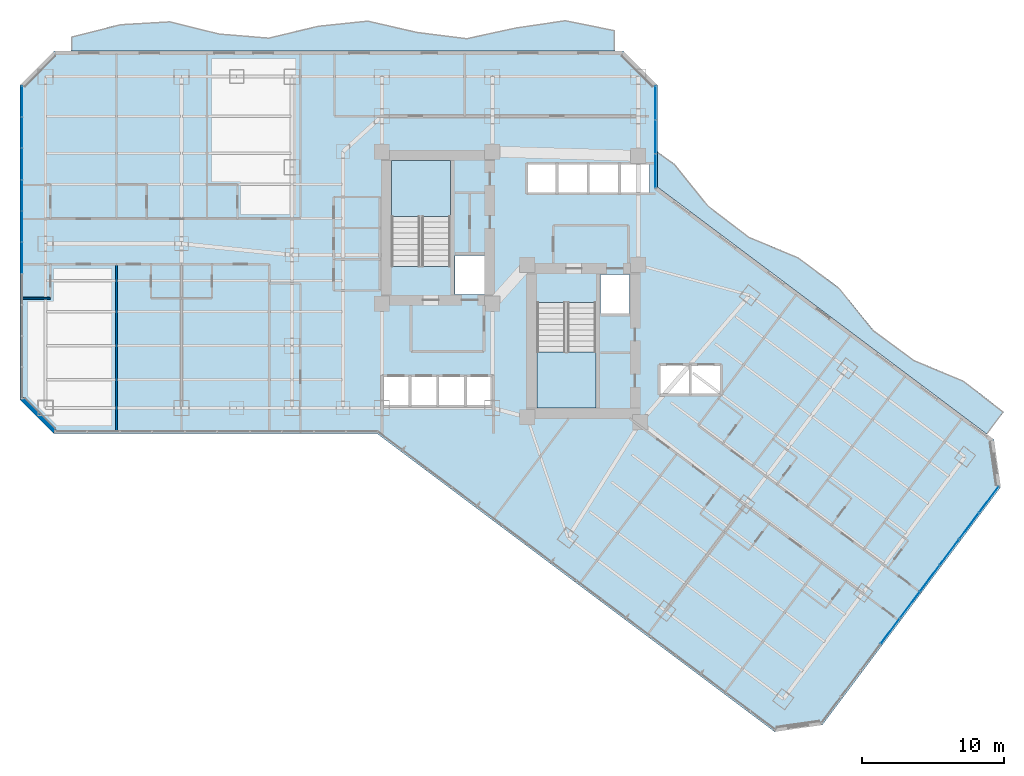
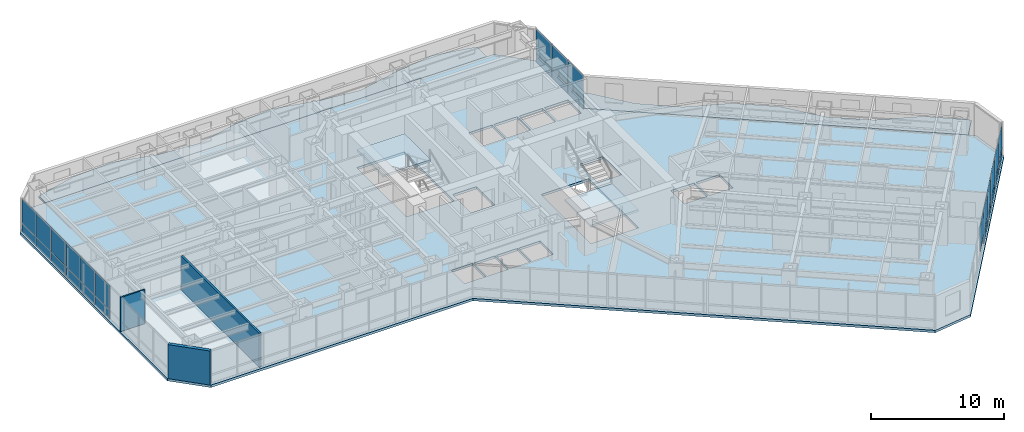
# One storey, part 27 of 38: 29 plates, 5 slabs, 3 walls, 5 elements without a shape of their own.
"""IFC4 building model written with IfcOpenShell, lengths in metres."""

from ifc_helpers import new_model, si_unit, direction, frame, frame_2d, origin, origin_2d, place, context, subcontext, project, spatial, polyline, rectangle, outline, extrude, material, layer, layer_set, type_object, element, aggregate, save


model = new_model("IFC4")

# Units and contexts
model_context = context("Model", 3, precision=1e-05, world=origin(), true_north=direction((0.0, 1.0)))
body_context = subcontext(model_context, "Body", "Model", "MODEL_VIEW")
ifc_project = project(units=[si_unit("LENGTHUNIT", "METRE"), si_unit("AREAUNIT", "SQUARE_METRE"), si_unit("VOLUMEUNIT", "CUBIC_METRE"), si_unit("PLANEANGLEUNIT", "RADIAN"), si_unit("MASSUNIT", "GRAM", prefix="KILO")], contexts=[model_context])

# Site, building, storey
site_placement = place(None, origin())
site = spatial("IfcSite", under=ifc_project, at=site_placement, CompositionType="ELEMENT")
building_placement = place(site_placement, origin())
building = spatial("IfcBuilding", under=site, at=building_placement, Name="Hatsunagi Terrace Concourse", CompositionType="ELEMENT")
storey_placement = place(building_placement, frame((0.0, 0.0, 63.39990234375)))
storey = spatial("IfcBuildingStorey", under=building, at=storey_placement, Name="L16", CompositionType="ELEMENT", Elevation=63.39990234375)

# Curtain wall, plates
ifc_material_1 = material(Name="Anodised Aluminium Alloy 6063-T5", Category="aluminium")
ifc_layer_1 = layer(ifc_material_1, 0.199951171875)
ifc_layer_set_1 = layer_set([ifc_layer_1], Name="HotelFacade_CW02")
curtain_wall_type = type_object("IfcCurtainWallType", Name="HotelFacade_CW02", PredefinedType="NOTDEFINED", material=ifc_layer_set_1)
curtain_wall_1_placement = place(storey_placement, origin())
curtain_wall_1 = element("IfcCurtainWall", 1, at=curtain_wall_1_placement, inside=storey, type_object=curtain_wall_type, Name="Unitised Curtain Wall CW-02 CW-L16-03", PredefinedType="NOTDEFINED")
ifc_material_2 = material(Name="Warm Terracotta Ceramic Spandrel Panel", Category="masonry")
ifc_layer_2 = layer(ifc_material_2, 0.031982421875)
ifc_layer_set_2 = layer_set([ifc_layer_2], Name="CurtainWallSpandrelPanel_32")
plate_type_1 = type_object("IfcPlateType", Name="CurtainWallSpandrelPanel_32", PredefinedType="SHEET", material=ifc_layer_set_2)
plate_1_placement = place(storey_placement, frame((68.39697265625, 18.72998046875, 0.030029296875), z_axis=(0.0, 0.0, 1.0), x_axis=(-0.599969314634, -0.800023013105, 0.0)))
plate_1 = element("IfcPlate", 2, at=plate_1_placement, type_object=plate_type_1, Name="Terracotta Spandrel Panel SPN-01", PredefinedType="SHEET", context=body_context, shape_type="SweptSolid", body=[
    extrude(rectangle(XDim=2.264892578125, YDim=0.031982421875, at=origin_2d()), origin(), (0.0, 0.0, 1.0), 0.7900390625),
])
plate_2_placement = place(storey_placement, frame((67.0048828125, 16.873046875, 0.030029296875), z_axis=(0.0, 0.0, 1.0), x_axis=(-0.599969314634, -0.800023013105, 0.0)))
plate_2 = element("IfcPlate", 3, at=plate_2_placement, type_object=plate_type_1, Name="Terracotta Spandrel Panel SPN-01", PredefinedType="SHEET", context=body_context, shape_type="SweptSolid", body=[
    extrude(rectangle(XDim=2.264892578125, YDim=0.031982421875, at=origin_2d()), origin(), (0.0, 0.0, 1.0), 0.7900390625),
])
plate_3_placement = place(storey_placement, frame((65.612060546875, 15.01708984375, 0.030029296875), z_axis=(0.0, 0.0, 1.0), x_axis=(-0.599969314634, -0.800023013105, 0.0)))
plate_3 = element("IfcPlate", 4, at=plate_3_placement, type_object=plate_type_1, Name="Terracotta Spandrel Panel SPN-01", PredefinedType="SHEET", context=body_context, shape_type="SweptSolid", body=[
    extrude(rectangle(XDim=2.264892578125, YDim=0.031982421875, at=origin_2d()), origin(), (0.0, 0.0, 1.0), 0.7900390625),
])
plate_4_placement = place(storey_placement, frame((64.219970703125, 13.159912109375, 0.030029296875), z_axis=(0.0, 0.0, 1.0), x_axis=(-0.599969314634, -0.800023013105, 0.0)))
plate_4 = element("IfcPlate", 5, at=plate_4_placement, type_object=plate_type_1, Name="Terracotta Spandrel Panel SPN-01", PredefinedType="SHEET", context=body_context, shape_type="SweptSolid", body=[
    extrude(rectangle(XDim=2.264892578125, YDim=0.031982421875, at=origin_2d()), origin(), (0.0, 0.0, 1.0), 0.7900390625),
])
plate_5_placement = place(storey_placement, frame((62.827880859375, 11.303955078125, 0.030029296875), z_axis=(0.0, 0.0, 1.0), x_axis=(-0.599969314634, -0.800023013105, 0.0)))
plate_5 = element("IfcPlate", 6, at=plate_5_placement, type_object=plate_type_1, Name="Terracotta Spandrel Panel SPN-01", PredefinedType="SHEET", context=body_context, shape_type="SweptSolid", body=[
    extrude(rectangle(XDim=2.264892578125, YDim=0.031982421875, at=origin_2d()), origin(), (0.0, 0.0, 1.0), 0.7900390625),
])

curtain_wall_2_placement = place(storey_placement, origin())
curtain_wall_2 = element("IfcCurtainWall", 7, at=curtain_wall_2_placement, inside=storey, type_object=curtain_wall_type, Name="Unitised Curtain Wall CW-02 CW-L16-09", PredefinedType="NOTDEFINED")
plate_6_placement = place(storey_placement, frame((0.139892578125, 35.7958984375, 0.030029296875), z_axis=(0.0, 0.0, 1.0), x_axis=(0.0, 1.0, 0.0)))
plate_6 = element("IfcPlate", 8, at=plate_6_placement, type_object=plate_type_1, Name="Terracotta Spandrel Panel SPN-01", PredefinedType="SHEET", context=body_context, shape_type="SweptSolid", body=[
    extrude(rectangle(XDim=2.153076171875, YDim=0.031982421875, at=origin_2d()), origin(), (0.0, 0.0, 1.0), 0.7900390625),
])
plate_7_placement = place(storey_placement, frame((0.139892578125, 38.00390625, 0.030029296875), z_axis=(0.0, 0.0, 1.0), x_axis=(0.0, 1.0, 0.0)))
plate_7 = element("IfcPlate", 9, at=plate_7_placement, type_object=plate_type_1, Name="Terracotta Spandrel Panel SPN-01", PredefinedType="SHEET", context=body_context, shape_type="SweptSolid", body=[
    extrude(rectangle(XDim=2.153076171875, YDim=0.031982421875, at=origin_2d()), origin(), (0.0, 0.0, 1.0), 0.7900390625),
])
plate_8_placement = place(storey_placement, frame((0.139892578125, 40.212890625, 0.030029296875), z_axis=(0.0, 0.0, 1.0), x_axis=(0.0, 1.0, 0.0)))
plate_8 = element("IfcPlate", 10, at=plate_8_placement, type_object=plate_type_1, Name="Terracotta Spandrel Panel SPN-01", PredefinedType="SHEET", context=body_context, shape_type="SweptSolid", body=[
    extrude(rectangle(XDim=2.153076171875, YDim=0.031982421875, at=origin_2d()), origin(), (0.0, 0.0, 1.0), 0.7900390625),
])
plate_9_placement = place(storey_placement, frame((0.139892578125, 42.4208984375, 0.030029296875), z_axis=(0.0, 0.0, 1.0), x_axis=(0.0, 1.0, 0.0)))
plate_9 = element("IfcPlate", 11, at=plate_9_placement, type_object=plate_type_1, Name="Terracotta Spandrel Panel SPN-01", PredefinedType="SHEET", context=body_context, shape_type="SweptSolid", body=[
    extrude(rectangle(XDim=2.153076171875, YDim=0.031982421875, at=origin_2d()), origin(), (0.0, 0.0, 1.0), 0.7900390625),
])
plate_10_placement = place(storey_placement, frame((0.139892578125, 44.62890625, 0.030029296875), z_axis=(0.0, 0.0, 1.0), x_axis=(0.0, 1.0, 0.0)))
plate_10 = element("IfcPlate", 12, at=plate_10_placement, type_object=plate_type_1, Name="Terracotta Spandrel Panel SPN-01", PredefinedType="SHEET", context=body_context, shape_type="SweptSolid", body=[
    extrude(rectangle(XDim=2.153076171875, YDim=0.031982421875, at=origin_2d()), origin(), (0.0, 0.0, 1.0), 0.7900390625),
])
plate_11_placement = place(storey_placement, frame((0.139892578125, 46.837890625, 0.030029296875), z_axis=(0.0, 0.0, 1.0), x_axis=(0.0, 1.0, 0.0)))
plate_11 = element("IfcPlate", 13, at=plate_11_placement, type_object=plate_type_1, Name="Terracotta Spandrel Panel SPN-01", PredefinedType="SHEET", context=body_context, shape_type="SweptSolid", body=[
    extrude(rectangle(XDim=2.153076171875, YDim=0.031982421875, at=origin_2d()), origin(), (0.0, 0.0, 1.0), 0.7900390625),
])

curtain_wall_3_placement = place(storey_placement, origin())
curtain_wall_3 = element("IfcCurtainWall", 14, at=curtain_wall_3_placement, inside=storey, type_object=curtain_wall_type, Name="Unitised Curtain Wall CW-02 CW-L16-13", PredefinedType="NOTDEFINED")
plate_12_placement = place(storey_placement, frame((44.860107421875, 46.739990234375, 0.030029296875), z_axis=(0.0, 0.0, 1.0), x_axis=(0.0, -1.0, 0.0)))
plate_12 = element("IfcPlate", 15, at=plate_12_placement, type_object=plate_type_1, Name="Terracotta Spandrel Panel SPN-01", PredefinedType="SHEET", context=body_context, shape_type="SweptSolid", body=[
    extrude(rectangle(XDim=2.34912109375, YDim=0.031982421875, at=origin_2d()), origin(), (0.0, 0.0, 1.0), 0.7900390625),
])
plate_13_placement = place(storey_placement, frame((44.860107421875, 44.3359375, 0.030029296875), z_axis=(0.0, 0.0, 1.0), x_axis=(0.0, -1.0, 0.0)))
plate_13 = element("IfcPlate", 16, at=plate_13_placement, type_object=plate_type_1, Name="Terracotta Spandrel Panel SPN-01", PredefinedType="SHEET", context=body_context, shape_type="SweptSolid", body=[
    extrude(rectangle(XDim=2.34912109375, YDim=0.031982421875, at=origin_2d()), origin(), (0.0, 0.0, 1.0), 0.7900390625),
])
plate_14_placement = place(storey_placement, frame((44.860107421875, 41.931884765625, 0.030029296875), z_axis=(0.0, 0.0, 1.0), x_axis=(0.0, -1.0, 0.0)))
plate_14 = element("IfcPlate", 17, at=plate_14_placement, type_object=plate_type_1, Name="Terracotta Spandrel Panel SPN-01", PredefinedType="SHEET", context=body_context, shape_type="SweptSolid", body=[
    extrude(rectangle(XDim=2.34912109375, YDim=0.031982421875, at=origin_2d()), origin(), (0.0, 0.0, 1.0), 0.7900390625),
])

# Plate
ifc_material_3 = material(Name="Low-E Double Insulating Glass 28mm", Category="glass")
ifc_layer_3 = layer(ifc_material_3, 0.028076171875)
ifc_layer_set_3 = layer_set([ifc_layer_3], Name="CurtainWallVisionGlass_28")
plate_type_2 = type_object("IfcPlateType", Name="CurtainWallVisionGlass_28", PredefinedType="CURTAIN_PANEL", material=ifc_layer_set_3)
plate_15_placement = place(storey_placement, frame((68.39697265625, 18.72998046875, 0.8798828125), z_axis=(0.0, 0.0, 1.0), x_axis=(-0.599969314634, -0.800023013105, 0.0)))
plate_15 = element("IfcPlate", 18, at=plate_15_placement, type_object=plate_type_2, Name="Low-E Vision Glass Panel GLZ-01", PredefinedType="CURTAIN_PANEL", context=body_context, shape_type="SweptSolid", body=[
    extrude(rectangle(XDim=2.264892578125, YDim=0.028076171875, at=origin_2d()), origin(), (0.0, 0.0, 1.0), 2.219970703125),
])

plate_16_placement = place(storey_placement, frame((67.0048828125, 16.873046875, 0.8798828125), z_axis=(0.0, 0.0, 1.0), x_axis=(-0.599969314634, -0.800023013105, 0.0)))
plate_16 = element("IfcPlate", 19, at=plate_16_placement, type_object=plate_type_2, Name="Low-E Vision Glass Panel GLZ-01", PredefinedType="CURTAIN_PANEL", context=body_context, shape_type="SweptSolid", body=[
    extrude(rectangle(XDim=2.264892578125, YDim=0.028076171875, at=origin_2d()), origin(), (0.0, 0.0, 1.0), 2.219970703125),
])

plate_17_placement = place(storey_placement, frame((65.612060546875, 15.01708984375, 0.8798828125), z_axis=(0.0, 0.0, 1.0), x_axis=(-0.599969314634, -0.800023013105, 0.0)))
plate_17 = element("IfcPlate", 20, at=plate_17_placement, type_object=plate_type_2, Name="Low-E Vision Glass Panel GLZ-01", PredefinedType="CURTAIN_PANEL", context=body_context, shape_type="SweptSolid", body=[
    extrude(rectangle(XDim=2.264892578125, YDim=0.028076171875, at=origin_2d()), origin(), (0.0, 0.0, 1.0), 2.219970703125),
])

plate_18_placement = place(storey_placement, frame((64.219970703125, 13.159912109375, 0.8798828125), z_axis=(0.0, 0.0, 1.0), x_axis=(-0.599969314634, -0.800023013105, 0.0)))
plate_18 = element("IfcPlate", 21, at=plate_18_placement, type_object=plate_type_2, Name="Low-E Vision Glass Panel GLZ-01", PredefinedType="CURTAIN_PANEL", context=body_context, shape_type="SweptSolid", body=[
    extrude(rectangle(XDim=2.264892578125, YDim=0.028076171875, at=origin_2d()), origin(), (0.0, 0.0, 1.0), 2.219970703125),
])

plate_19_placement = place(storey_placement, frame((62.827880859375, 11.303955078125, 0.8798828125), z_axis=(0.0, 0.0, 1.0), x_axis=(-0.599969314634, -0.800023013105, 0.0)))
plate_19 = element("IfcPlate", 22, at=plate_19_placement, type_object=plate_type_2, Name="Low-E Vision Glass Panel GLZ-01", PredefinedType="CURTAIN_PANEL", context=body_context, shape_type="SweptSolid", body=[
    extrude(rectangle(XDim=2.264892578125, YDim=0.028076171875, at=origin_2d()), origin(), (0.0, 0.0, 1.0), 2.219970703125),
])

plate_20_placement = place(storey_placement, frame((61.43603515625, 9.447998046875, 0.8798828125), z_axis=(0.0, 0.0, 1.0), x_axis=(-0.599969314634, -0.800023013105, 0.0)))
plate_20 = element("IfcPlate", 23, at=plate_20_placement, type_object=plate_type_2, Name="Low-E Vision Glass Panel GLZ-01", PredefinedType="CURTAIN_PANEL", context=body_context, shape_type="SweptSolid", body=[
    extrude(rectangle(XDim=2.264892578125, YDim=0.028076171875, at=origin_2d()), origin(), (0.0, 0.0, 1.0), 2.219970703125),
])

aggregate(curtain_wall_1, [plate_1, plate_15, plate_2, plate_16, plate_3, plate_17, plate_4, plate_18, plate_5, plate_19, plate_20])

plate_21_placement = place(storey_placement, frame((0.139892578125, 35.7958984375, 0.8798828125), z_axis=(0.0, 0.0, 1.0), x_axis=(0.0, 1.0, 0.0)))
plate_21 = element("IfcPlate", 24, at=plate_21_placement, type_object=plate_type_2, Name="Low-E Vision Glass Panel GLZ-01", PredefinedType="CURTAIN_PANEL", context=body_context, shape_type="SweptSolid", body=[
    extrude(rectangle(XDim=2.153076171875, YDim=0.028076171875, at=origin_2d()), origin(), (0.0, 0.0, 1.0), 2.219970703125),
])

plate_22_placement = place(storey_placement, frame((0.139892578125, 38.00390625, 0.8798828125), z_axis=(0.0, 0.0, 1.0), x_axis=(0.0, 1.0, 0.0)))
plate_22 = element("IfcPlate", 25, at=plate_22_placement, type_object=plate_type_2, Name="Low-E Vision Glass Panel GLZ-01", PredefinedType="CURTAIN_PANEL", context=body_context, shape_type="SweptSolid", body=[
    extrude(rectangle(XDim=2.153076171875, YDim=0.028076171875, at=origin_2d()), origin(), (0.0, 0.0, 1.0), 2.219970703125),
])

plate_23_placement = place(storey_placement, frame((0.139892578125, 40.212890625, 0.8798828125), z_axis=(0.0, 0.0, 1.0), x_axis=(0.0, 1.0, 0.0)))
plate_23 = element("IfcPlate", 26, at=plate_23_placement, type_object=plate_type_2, Name="Low-E Vision Glass Panel GLZ-01", PredefinedType="CURTAIN_PANEL", context=body_context, shape_type="SweptSolid", body=[
    extrude(rectangle(XDim=2.153076171875, YDim=0.028076171875, at=origin_2d()), origin(), (0.0, 0.0, 1.0), 2.219970703125),
])

plate_24_placement = place(storey_placement, frame((0.139892578125, 42.4208984375, 0.8798828125), z_axis=(0.0, 0.0, 1.0), x_axis=(0.0, 1.0, 0.0)))
plate_24 = element("IfcPlate", 27, at=plate_24_placement, type_object=plate_type_2, Name="Low-E Vision Glass Panel GLZ-01", PredefinedType="CURTAIN_PANEL", context=body_context, shape_type="SweptSolid", body=[
    extrude(rectangle(XDim=2.153076171875, YDim=0.028076171875, at=origin_2d()), origin(), (0.0, 0.0, 1.0), 2.219970703125),
])

plate_25_placement = place(storey_placement, frame((0.139892578125, 44.62890625, 0.8798828125), z_axis=(0.0, 0.0, 1.0), x_axis=(0.0, 1.0, 0.0)))
plate_25 = element("IfcPlate", 28, at=plate_25_placement, type_object=plate_type_2, Name="Low-E Vision Glass Panel GLZ-01", PredefinedType="CURTAIN_PANEL", context=body_context, shape_type="SweptSolid", body=[
    extrude(rectangle(XDim=2.153076171875, YDim=0.028076171875, at=origin_2d()), origin(), (0.0, 0.0, 1.0), 2.219970703125),
])

plate_26_placement = place(storey_placement, frame((0.139892578125, 46.837890625, 0.8798828125), z_axis=(0.0, 0.0, 1.0), x_axis=(0.0, 1.0, 0.0)))
plate_26 = element("IfcPlate", 29, at=plate_26_placement, type_object=plate_type_2, Name="Low-E Vision Glass Panel GLZ-01", PredefinedType="CURTAIN_PANEL", context=body_context, shape_type="SweptSolid", body=[
    extrude(rectangle(XDim=2.153076171875, YDim=0.028076171875, at=origin_2d()), origin(), (0.0, 0.0, 1.0), 2.219970703125),
])

aggregate(curtain_wall_2, [plate_6, plate_21, plate_7, plate_22, plate_8, plate_23, plate_9, plate_24, plate_10, plate_25, plate_11, plate_26])

plate_27_placement = place(storey_placement, frame((44.860107421875, 46.739990234375, 0.8798828125), z_axis=(0.0, 0.0, 1.0), x_axis=(0.0, -1.0, 0.0)))
plate_27 = element("IfcPlate", 30, at=plate_27_placement, type_object=plate_type_2, Name="Low-E Vision Glass Panel GLZ-01", PredefinedType="CURTAIN_PANEL", context=body_context, shape_type="SweptSolid", body=[
    extrude(rectangle(XDim=2.34912109375, YDim=0.028076171875, at=origin_2d()), origin(), (0.0, 0.0, 1.0), 2.219970703125),
])

plate_28_placement = place(storey_placement, frame((44.860107421875, 44.3359375, 0.8798828125), z_axis=(0.0, 0.0, 1.0), x_axis=(0.0, -1.0, 0.0)))
plate_28 = element("IfcPlate", 31, at=plate_28_placement, type_object=plate_type_2, Name="Low-E Vision Glass Panel GLZ-01", PredefinedType="CURTAIN_PANEL", context=body_context, shape_type="SweptSolid", body=[
    extrude(rectangle(XDim=2.34912109375, YDim=0.028076171875, at=origin_2d()), origin(), (0.0, 0.0, 1.0), 2.219970703125),
])

plate_29_placement = place(storey_placement, frame((44.860107421875, 41.931884765625, 0.8798828125), z_axis=(0.0, 0.0, 1.0), x_axis=(0.0, -1.0, 0.0)))
plate_29 = element("IfcPlate", 32, at=plate_29_placement, type_object=plate_type_2, Name="Low-E Vision Glass Panel GLZ-01", PredefinedType="CURTAIN_PANEL", context=body_context, shape_type="SweptSolid", body=[
    extrude(rectangle(XDim=2.34912109375, YDim=0.028076171875, at=origin_2d()), origin(), (0.0, 0.0, 1.0), 2.219970703125),
])

aggregate(curtain_wall_3, [plate_12, plate_27, plate_13, plate_28, plate_14, plate_29])

# Stair, slab
ifc_material_4 = material(Name="Concrete Fc42", Category="concrete")
stair_type = type_object("IfcStairType", Name="DoglegExitStair_Tower2000_20R_168", PredefinedType="HALF_TURN_STAIR", material=ifc_material_4)
stair_1_placement = place(storey_placement, origin())
stair_1 = element("IfcStair", 33, at=stair_1_placement, inside=storey, type_object=stair_type, Name="L16 Core A Protected Exit Stair ST-A", PredefinedType="HALF_TURN_STAIR")
ifc_material_5 = material(Name="Concrete Fc42", Category="concrete")
ifc_layer_4 = layer(ifc_material_5, 0.199951171875)
ifc_layer_set_4 = layer_set([ifc_layer_4], Name="DoglegStairLanding_Tower2000")
slab_type_1 = type_object("IfcSlabType", Name="DoglegStairLanding_Tower2000", PredefinedType="LANDING", material=ifc_layer_set_4)
slab_1_placement = place(storey_placement, frame((0.0, 0.0, 1.47509765625)))
slab_1 = element("IfcSlab", 34, at=slab_1_placement, type_object=slab_type_1, Name="ST-A landing 1", PredefinedType="LANDING", context=body_context, shape_type="SweptSolid", body=[
    extrude(outline(polyline([(30.3798828125, 38.7099609375), (30.3798828125, 42.659912109375), (26.22998046875, 42.659912109375), (26.22998046875, 38.7099609375), (30.3798828125, 38.7099609375)])), origin(), (0.0, 0.0, 1.0), 0.199951171875),
])
aggregate(stair_1, [slab_1])

stair_2_placement = place(storey_placement, origin())
stair_2 = element("IfcStair", 35, at=stair_2_placement, inside=storey, type_object=stair_type, Name="L16 Core B Protected Exit Stair ST-B", PredefinedType="HALF_TURN_STAIR")
slab_2_placement = place(storey_placement, frame((0.0, 0.0, 1.47509765625)))
slab_2 = element("IfcSlab", 36, at=slab_2_placement, type_object=slab_type_1, Name="ST-B landing 1", PredefinedType="LANDING", context=body_context, shape_type="SweptSolid", body=[
    extrude(outline(polyline([(36.5, 29.14990234375), (36.5, 25.199951171875), (40.64990234375, 25.199951171875), (40.64990234375, 29.14990234375), (36.5, 29.14990234375)])), origin(), (0.0, 0.0, 1.0), 0.199951171875),
])
aggregate(stair_2, [slab_2])

# Slabs
ifc_material_6 = material(Name="Concrete Fc42", Category="concrete")
ifc_layer_5 = layer(ifc_material_6, 0.199951171875)
ifc_layer_set_5 = layer_set([ifc_layer_5], Name="EngawaBalconySlab_Fc42_200")
slab_type_2 = type_object("IfcSlabType", Name="EngawaBalconySlab_Fc42_200", PredefinedType="FLOOR", material=ifc_layer_set_5)
slab_3_placement = place(storey_placement, frame((0.0, 0.0, -0.199951171875)))
element("IfcSlab", 37, at=slab_3_placement, inside=storey, type_object=slab_type_2, Name="Engawa Balcony Slab BAL-L16-BN", PredefinedType="FLOOR", context=body_context, shape_type="SweptSolid", body=[
    extrude(outline(polyline([(3.60009765625, 51.424072265625), (3.60009765625, 50.39990234375), (42.0, 50.39990234375), (42.0, 51.882080078125), (38.509033203125, 52.592041015625), (35.01806640625, 52.0791015625), (31.527099609375, 51.320068359375), (28.035888671875, 51.760986328125), (24.544921875, 52.56201171875), (21.054931640625, 52.197021484375), (17.56396484375, 51.361083984375), (14.072998046875, 51.64697265625), (10.58203125, 52.510009765625), (7.091064453125, 52.306884765625), (3.60009765625, 51.424072265625)])), origin(), (0.0, 0.0, 1.0), 0.199951171875),
])
slab_4_placement = place(storey_placement, frame((0.0, 0.0, -0.199951171875)))
element("IfcSlab", 38, at=slab_4_placement, inside=storey, type_object=slab_type_2, Name="Engawa Balcony Slab BAL-L16-BSE", PredefinedType="FLOOR", context=body_context, shape_type="SweptSolid", body=[
    extrude(outline(polyline([(46.2470703125, 42.406982421875), (44.99609375, 43.31494140625), (44.99609375, 40.802978515625), (68.280029296875, 23.340087890625), (69.468017578125, 24.925048828125), (66.592041015625, 27.14404296875), (63.1298828125, 28.583984375), (60.208984375, 30.74609375), (57.85791015625, 33.6669921875), (54.948974609375, 35.843017578125), (51.487060546875, 37.282958984375), (48.59912109375, 39.488037109375), (46.2470703125, 42.406982421875)])), origin(), (0.0, 0.0, 1.0), 0.199951171875),
])
ifc_material_7 = material(Name="Concrete Fc42", Category="concrete")
ifc_layer_6 = layer(ifc_material_7, 0.219970703125)
ifc_layer_set_6 = layer_set([ifc_layer_6], Name="HotelFloorSlab_Fc42_220")
slab_type_3 = type_object("IfcSlabType", Name="HotelFloorSlab_Fc42_220", PredefinedType="FLOOR", material=ifc_layer_set_6)
slab_5_placement = place(storey_placement, frame((0.0, 0.0, -0.219970703125)))
element("IfcSlab", 39, at=slab_5_placement, inside=storey, type_object=slab_type_3, Name="Floor Slab SL-220 L16", PredefinedType="FLOOR", context=body_context, shape_type="SweptSolid", body=[
    extrude(outline(polyline([(45.0, 40.800048828125), (45.0, 48.0), (42.60009765625, 50.39990234375), (2.39990234375, 50.39990234375), (0.0, 48.0), (0.0, 25.800048828125), (2.39990234375, 23.39990234375), (25.199951171875, 23.39990234375), (53.280029296875, 2.340087890625), (56.639892578125, 2.820068359375), (69.239990234375, 19.6201171875), (68.760009765625, 22.97998046875), (45.0, 40.800048828125)]), holes=[polyline([(26.22998046875, 35.205078125), (30.3798828125, 35.205078125), (30.3798828125, 42.659912109375), (26.22998046875, 42.659912109375), (26.22998046875, 35.205078125)]), polyline([(36.5, 25.199951171875), (40.64990234375, 25.199951171875), (40.64990234375, 32.655029296875), (36.5, 32.655029296875), (36.5, 25.199951171875)]), polyline([(30.719970703125, 33.219970703125), (32.780029296875, 33.219970703125), (32.780029296875, 35.97998046875), (30.719970703125, 35.97998046875), (30.719970703125, 33.219970703125)]), polyline([(40.97998046875, 31.8798828125), (43.02001953125, 31.8798828125), (43.02001953125, 34.639892578125), (40.97998046875, 34.639892578125), (40.97998046875, 31.8798828125)]), polyline([(25.6201171875, 25.39990234375), (27.47998046875, 25.39990234375), (27.47998046875, 27.39990234375), (25.6201171875, 27.39990234375), (25.6201171875, 25.39990234375)]), polyline([(27.580078125, 25.39990234375), (29.43994140625, 25.39990234375), (29.43994140625, 27.39990234375), (27.580078125, 27.39990234375), (27.580078125, 25.39990234375)]), polyline([(29.5400390625, 25.39990234375), (31.39990234375, 25.39990234375), (31.39990234375, 27.39990234375), (29.5400390625, 27.39990234375), (29.5400390625, 25.39990234375)]), polyline([(31.5, 25.39990234375), (33.360107421875, 25.39990234375), (33.360107421875, 27.39990234375), (31.5, 27.39990234375), (31.5, 25.39990234375)]), polyline([(35.800048828125, 40.39990234375), (37.85009765625, 40.39990234375), (37.85009765625, 42.39990234375), (35.800048828125, 42.39990234375), (35.800048828125, 40.39990234375)]), polyline([(38.0, 40.39990234375), (40.050048828125, 40.39990234375), (40.050048828125, 42.39990234375), (38.0, 42.39990234375), (38.0, 40.39990234375)]), polyline([(40.199951171875, 40.39990234375), (42.25, 40.39990234375), (42.25, 42.39990234375), (40.199951171875, 42.39990234375), (40.199951171875, 40.39990234375)]), polyline([(42.39990234375, 40.39990234375), (44.449951171875, 40.39990234375), (44.449951171875, 42.39990234375), (42.39990234375, 42.39990234375), (42.39990234375, 40.39990234375)]), polyline([(45.199951171875, 26.199951171875), (47.25, 26.199951171875), (47.25, 28.199951171875), (45.199951171875, 28.199951171875), (45.199951171875, 26.199951171875)]), polyline([(47.39990234375, 26.199951171875), (49.449951171875, 26.199951171875), (49.449951171875, 28.199951171875), (47.39990234375, 28.199951171875), (47.39990234375, 26.199951171875)])]), origin(), (0.0, 0.0, 1.0), 0.219970703125),
])

# Walls
ifc_material_8 = material(Name="Acoustic mineral board", Category="gypsum")
ifc_layer_7 = layer(ifc_material_8, 0.1201171875)
ifc_layer_set_7 = layer_set([ifc_layer_7], Name="PartitionWall_EI30_120")
wall_type_1 = type_object("IfcWallType", Name="PartitionWall_EI30_120", PredefinedType="PARTITIONING", material=ifc_layer_set_7)
wall_1_placement = place(storey_placement, frame((0.0400390625, 32.949951171875, 0.0), z_axis=(0.0, 0.0, 1.0), x_axis=(1.0, 0.0, 0.0)))
element("IfcWall", 40, at=wall_1_placement, inside=storey, type_object=wall_type_1, Name="Interior Partition IW-L16-063", PredefinedType="PARTITIONING", context=body_context, shape_type="SweptSolid", body=[
    extrude(rectangle(XDim=2.10986328125, YDim=0.1201171875, at=frame_2d((1.054931640625, 0.0))), origin(), (0.0, 0.0, 1.0), 3.130126953125),
])
ifc_material_9 = material(Name="Acoustic mineral board", Category="gypsum")
ifc_layer_8 = layer(ifc_material_9, 0.14990234375)
ifc_layer_set_8 = layer_set([ifc_layer_8], Name="PartitionWall_EI60_150")
wall_type_2 = type_object("IfcWallType", Name="PartitionWall_EI60_150", PredefinedType="PARTITIONING", material=ifc_layer_set_8)
wall_2_placement = place(storey_placement, frame((6.800048828125, 23.60009765625, 0.0), z_axis=(0.0, 0.0, 1.0), x_axis=(0.0, 1.0, 0.0)))
element("IfcWall", 41, at=wall_2_placement, inside=storey, type_object=wall_type_2, Name="Interior Partition IW-L16-064", PredefinedType="PARTITIONING", context=body_context, shape_type="SweptSolid", body=[
    extrude(rectangle(XDim=11.75, YDim=0.14990234375, at=frame_2d((5.875, 0.0))), origin(), (0.0, 0.0, 1.0), 3.130126953125),
])
ifc_material_10 = material(Name="Autoclaved Lightweight Concrete and Terracotta Cladding", Category="masonry")
ifc_layer_9 = layer(ifc_material_10, 0.280029296875)
ifc_layer_set_9 = layer_set([ifc_layer_9], Name="TerracottaSpandrelWall_280")
wall_type_3 = type_object("IfcWallType", Name="TerracottaSpandrelWall_280", PredefinedType="STANDARD", material=ifc_layer_set_9)
wall_3_placement = place(storey_placement, frame((2.4580078125, 23.5400390625, 0.0), z_axis=(0.0, 0.0, 1.0), x_axis=(-0.707144017911, 0.707069542501, 0.0)))
element("IfcWall", 42, at=wall_3_placement, inside=storey, type_object=wall_type_3, Name="Exterior Spandrel Wall EW-L16-08", PredefinedType="STANDARD", context=body_context, shape_type="SweptSolid", body=[
    extrude(rectangle(XDim=3.278076171875, YDim=0.280029296875, at=frame_2d((1.63916015625, 0.0))), origin(), (0.0, 0.0, 1.0), 3.130126953125),
])

save(model, "model.ifc")
